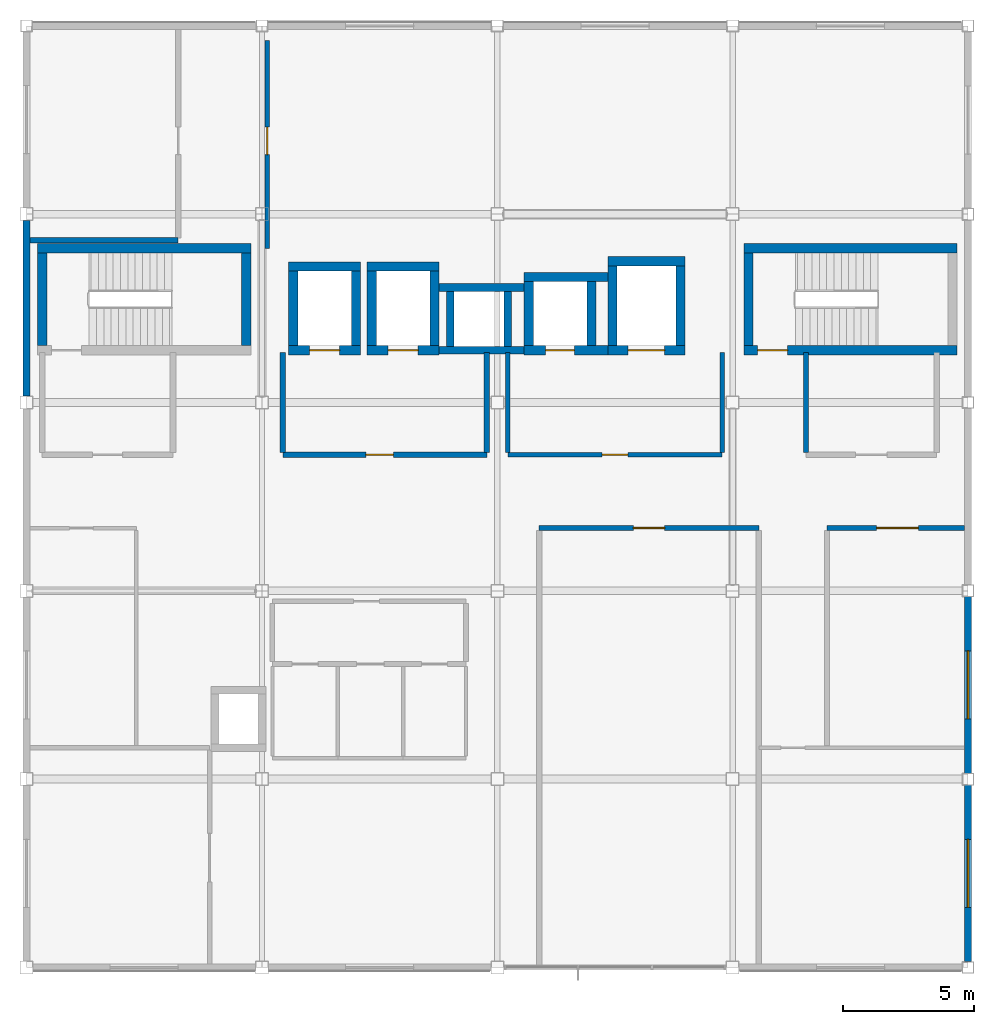
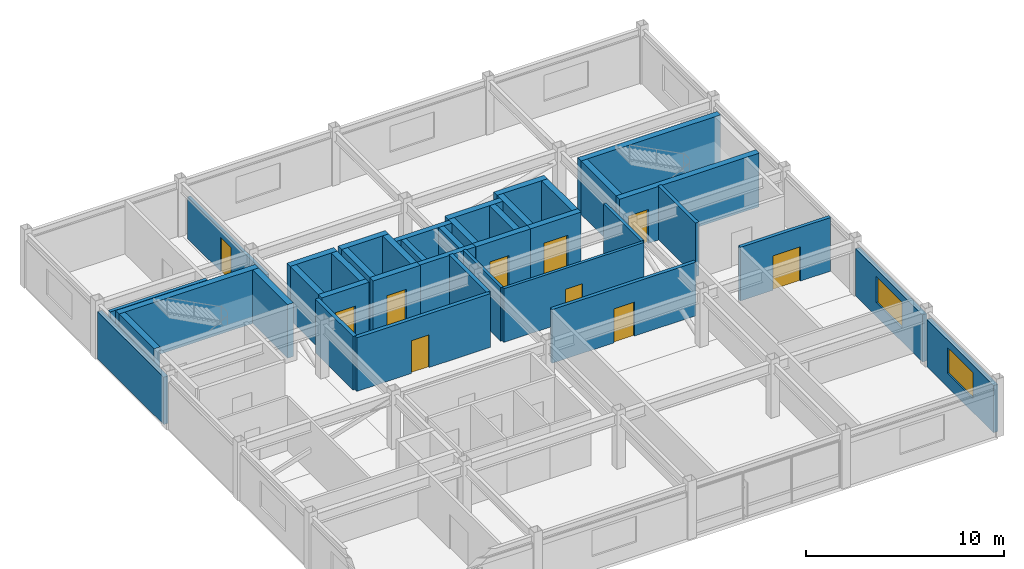
# One storey, part 5 of 7: 40 walls, 10 doors, 2 windows, 12 openings.
"""IFC4 building model written with IfcOpenShell, lengths in metres."""

from ifc_helpers import new_model, si_unit, direction, frame, frame_2d, origin, place, context, subcontext, project, spatial, rectangle, extrude, material, layer, layer_set, type_object, element, fill, save


model = new_model("IFC4")

# Units and contexts
model_context = context("Model", 3, precision=1e-05, world=origin(), true_north=direction((0.0, 1.0)))
body_context = subcontext(model_context, "Body", "Model", "MODEL_VIEW")
ifc_project = project(units=[si_unit("LENGTHUNIT", "METRE"), si_unit("AREAUNIT", "SQUARE_METRE"), si_unit("VOLUMEUNIT", "CUBIC_METRE"), si_unit("PLANEANGLEUNIT", "RADIAN"), si_unit("MASSUNIT", "GRAM", prefix="KILO")], contexts=[model_context])

# Site, building, storey
site_placement = place(None, origin())
site = spatial("IfcSite", under=ifc_project, at=site_placement, CompositionType="ELEMENT")
building_placement = place(site_placement, origin())
building = spatial("IfcBuilding", under=site, at=building_placement, Name="Kazanami Central Library", CompositionType="ELEMENT")
storey_placement = place(building_placement, frame((0.0, 0.0, 27.800048828125)))
storey = spatial("IfcBuildingStorey", under=building, at=storey_placement, Name="L08", CompositionType="ELEMENT", Elevation=27.800048828125)

# Wall
ifc_material_1 = material(Name="Concrete Fc36 (36 MPa)", Category="concrete")
ifc_layer_1 = layer(ifc_material_1, 0.179931640625, Name="Concrete Fc36 (36 MPa)")
ifc_material_2 = material(Name="Extruded Polystyrene XPS", Category="earth")
ifc_layer_2 = layer(ifc_material_2, 0.050048828125, Name="Extruded Polystyrene XPS")
ifc_material_3 = material(Name="Honed Inada Granite", Category="masonry")
ifc_layer_3 = layer(ifc_material_3, 0.030029296875, Name="Honed Inada Granite")
ifc_layer_set_1 = layer_set([ifc_layer_1, ifc_layer_2, ifc_layer_3], Name="Concrete Fc36 (36 MPa)")
wall_type_1 = type_object("IfcWallType", Name="WAL-EW-260", PredefinedType="STANDARD", material=ifc_layer_set_1)
wall_1_placement = place(storey_placement, frame((126.0, 79.449951171875, 0.0), z_axis=(0.0, 0.0, 1.0), x_axis=(0.0, 1.0, 0.0)))
element("IfcWall", 1, at=wall_1_placement, inside=storey, type_object=wall_type_1, Name="Exterior Facade Wall EW-260 L08 W-15-11", PredefinedType="STANDARD", context=body_context, shape_type="SweptSolid", body=[
    extrude(rectangle(XDim=6.699951171875, YDim=0.260009765625, at=frame_2d((3.35009765625, 0.0))), origin(), (0.0, 0.0, 1.0), 2.9150390625),
])

# Wall, opening, window
wall_2_placement = place(storey_placement, frame((162.0, 64.574951171875, 0.0), z_axis=(0.0, 0.0, 1.0), x_axis=(0.0, -1.0, 0.0)))
wall_2 = element("IfcWall", 2, at=wall_2_placement, inside=storey, type_object=wall_type_1, Name="Exterior Facade Wall EW-260 L08 E-19-08", PredefinedType="STANDARD", context=body_context, shape_type="SweptSolid", body=[
    extrude(rectangle(XDim=6.75, YDim=0.260009765625, at=frame_2d((3.375, 0.0))), origin(), (0.0, 0.0, 1.0), 2.9150390625),
])
opening_1_placement = place(wall_2_placement, frame((2.074951171875, 0.0, 0.85009765625)))
opening_1 = element("IfcOpeningElement", 3, at=opening_1_placement, cuts=wall_2, Name="Opening WN-13", PredefinedType="OPENING", context=body_context, shape_type="SweptSolid", body=[
    extrude(rectangle(XDim=2.60009765625, YDim=1.60009765625, at=frame_2d((1.300048828125, 0.800048828125))), frame((0.0, 0.14208984375, 0.0), z_axis=(0.0, -1.0, 0.0), x_axis=(1.0, 0.0, 0.0)), (0.0, 0.0, 1.0), 0.283935546875),
])
ifc_material_4 = material(Name="Low-E Insulated Triple Glass", Category="glass")
window_type = type_object("IfcWindowType", Name="WIN-WN-13", PartitioningType="DOUBLE_PANEL_VERTICAL", PredefinedType="WINDOW", material=ifc_material_4)
window_1_placement = place(opening_1_placement, origin())
window_1 = element("IfcWindow", 4, at=window_1_placement, inside=storey, type_object=window_type, Name="Facade Window WN-13 L08 E-19-08", OverallHeight=1.60009765625, OverallWidth=2.60009765625, PartitioningType="DOUBLE_PANEL_VERTICAL", PredefinedType="WINDOW", context=body_context, shape_type="SweptSolid", body=[
    extrude(rectangle(XDim=2.60009765625, YDim=1.60009765625, at=frame_2d((1.300048828125, 0.800048828125))), frame((0.0, 0.030029296875, 0.0), z_axis=(0.0, -1.0, 0.0), x_axis=(1.0, 0.0, 0.0)), (0.0, 0.0, 1.0), 0.06005859375),
])
fill(opening_1, window_1)

wall_3_placement = place(storey_placement, frame((162.0, 71.77490234375, 0.0), z_axis=(0.0, 0.0, 1.0), x_axis=(0.0, -1.0, 0.0)))
wall_3 = element("IfcWall", 5, at=wall_3_placement, inside=storey, type_object=wall_type_1, Name="Exterior Facade Wall EW-260 L08 E-19-09", PredefinedType="STANDARD", context=body_context, shape_type="SweptSolid", body=[
    extrude(rectangle(XDim=6.75, YDim=0.260009765625, at=frame_2d((3.375, 0.0))), origin(), (0.0, 0.0, 1.0), 2.9150390625),
])
opening_2_placement = place(wall_3_placement, frame((2.074951171875, 0.0, 0.85009765625)))
opening_2 = element("IfcOpeningElement", 6, at=opening_2_placement, cuts=wall_3, Name="Opening WN-13", PredefinedType="OPENING", context=body_context, shape_type="SweptSolid", body=[
    extrude(rectangle(XDim=2.60009765625, YDim=1.60009765625, at=frame_2d((1.300048828125, 0.800048828125))), frame((0.0, 0.14208984375, 0.0), z_axis=(0.0, -1.0, 0.0), x_axis=(1.0, 0.0, 0.0)), (0.0, 0.0, 1.0), 0.283935546875),
])
window_2_placement = place(opening_2_placement, origin())
window_2 = element("IfcWindow", 7, at=window_2_placement, inside=storey, type_object=window_type, Name="Facade Window WN-13 L08 E-19-09", OverallHeight=1.60009765625, OverallWidth=2.60009765625, PartitioningType="DOUBLE_PANEL_VERTICAL", PredefinedType="WINDOW", context=body_context, shape_type="SweptSolid", body=[
    extrude(rectangle(XDim=2.60009765625, YDim=1.60009765625, at=frame_2d((1.300048828125, 0.800048828125))), frame((0.0, 0.030029296875, 0.0), z_axis=(0.0, -1.0, 0.0), x_axis=(1.0, 0.0, 0.0)), (0.0, 0.0, 1.0), 0.06005859375),
])
fill(opening_2, window_2)

# Wall, opening, door
ifc_material_5 = material(Name="Fire-Resistant Gypsum Board GB-F", Category="gypsum")
ifc_layer_4 = layer(ifc_material_5, 0.1650390625, Name="Fire-Resistant Gypsum Board GB-F")
ifc_layer_set_2 = layer_set([ifc_layer_4], Name="Fire-Resistant Gypsum Board GB-F")
wall_type_2 = type_object("IfcWallType", Name="WAL-FW-165", PredefinedType="PARTITIONING", material=ifc_layer_set_2)
wall_4_placement = place(storey_placement, frame((144.39990234375, 77.199951171875, 0.0), z_axis=(0.0, 0.0, 1.0), x_axis=(1.0, 0.0, 0.0)))
wall_4 = element("IfcWall", 8, at=wall_4_placement, inside=storey, type_object=wall_type_2, Name="Interior Partition FW-165 L08 LOBBY-V2 (South)", PredefinedType="PARTITIONING", context=body_context, shape_type="SweptSolid", body=[
    extrude(rectangle(XDim=8.2001953125, YDim=0.1650390625, at=frame_2d((4.10009765625, 0.0))), origin(), (0.0, 0.0, 1.0), 3.31494140625),
])
opening_3_placement = place(wall_4_placement, frame((3.610107421875, 0.0, 0.0)))
opening_3 = element("IfcOpeningElement", 9, at=opening_3_placement, cuts=wall_4, Name="Opening FD30-3", PredefinedType="OPENING", context=body_context, shape_type="SweptSolid", body=[
    extrude(rectangle(XDim=0.97998046875, YDim=2.02001953125, at=frame_2d((0.489990234375, 1.010009765625))), frame((0.0, 0.094482421875, 0.0), z_axis=(0.0, -1.0, 0.0), x_axis=(1.0, 0.0, 0.0)), (0.0, 0.0, 1.0), 0.18896484375),
])
ifc_material_6 = material(Name="Cold-Rolled Steel SPCC", Category="steel")
door_type_1 = type_object("IfcDoorType", Name="DOR-FD30-3", OperationType="NOTDEFINED", PredefinedType="DOOR", material=ifc_material_6)
door_1_placement = place(opening_3_placement, frame((0.97998046875, 0.0, 0.0), z_axis=(0.0, 0.0, 1.0), x_axis=(-1.0, 0.0, 0.0)))
door_1 = element("IfcDoor", 10, at=door_1_placement, inside=storey, type_object=door_type_1, Name="Interior Door FD30-3 L08 LOBBY-V2", OperationType="SINGLE_SWING_RIGHT", OverallHeight=2.02001953125, OverallWidth=0.97998046875, PredefinedType="DOOR", context=body_context, shape_type="SweptSolid", body=[
    extrude(rectangle(XDim=0.97998046875, YDim=2.02001953125, at=frame_2d((0.489990234375, 1.010009765625))), frame((0.0, 0.02490234375, 0.0), z_axis=(0.0, -1.0, 0.0), x_axis=(1.0, 0.0, 0.0)), (0.0, 0.0, 1.0), 0.050048828125),
])
fill(opening_3, door_1)

# Walls
for number, where, z_axis, x_axis, name in (
    (11, (144.39990234375, 77.2900390625, 0.0), (0.0, 0.0, 1.0), (0.0, 1.0, 0.0), "Interior Partition FW-165 L08 LOBBY-V2 (West)"),
    (12, (152.60009765625, 77.2900390625, 0.0), (0.0, 0.0, 1.0), (0.0, 1.0, 0.0), "Interior Partition FW-165 L08 LOBBY-V2 (East)"),
):
    element("IfcWall", number, at=place(storey_placement, frame(where, z_axis=z_axis, x_axis=x_axis)), inside=storey, type_object=wall_type_2, Name=name, PredefinedType="PARTITIONING", context=body_context, shape_type="SweptSolid", body=[
        extrude(rectangle(XDim=3.820068359375, YDim=0.1650390625, at=frame_2d((1.91015625, 0.0))), origin(), (0.0, 0.0, 1.0), 3.31494140625),
    ])

# Wall, opening, door
wall_5_placement = place(storey_placement, frame((135.199951171875, 85.090087890625, 0.0), z_axis=(0.0, 0.0, 1.0), x_axis=(0.0, 1.0, 0.0)))
wall_5 = element("IfcWall", 13, at=wall_5_placement, inside=storey, type_object=wall_type_2, Name="Interior Partition FW-165 L08 RM-14 (West)", PredefinedType="PARTITIONING", context=body_context, shape_type="SweptSolid", body=[
    extrude(rectangle(XDim=7.954833984375, YDim=0.1650390625, at=frame_2d((3.9775390625, 0.0))), origin(), (0.0, 0.0, 1.0), 2.594970703125),
])
opening_4_placement = place(wall_5_placement, frame((3.5849609375, 0.0, 0.0)))
opening_4 = element("IfcOpeningElement", 14, at=opening_4_placement, cuts=wall_5, Name="Opening FD30-1", PredefinedType="OPENING", context=body_context, shape_type="SweptSolid", body=[
    extrude(rectangle(XDim=1.050048828125, YDim=2.10009765625, at=frame_2d((0.52490234375, 1.050048828125))), frame((0.0, 0.094482421875, 0.0), z_axis=(0.0, -1.0, 0.0), x_axis=(1.0, 0.0, 0.0)), (0.0, 0.0, 1.0), 0.18896484375),
])
door_type_2 = type_object("IfcDoorType", Name="DOR-FD30-1", OperationType="NOTDEFINED", PredefinedType="DOOR", material=ifc_material_6)
door_2_placement = place(opening_4_placement, origin())
door_2 = element("IfcDoor", 15, at=door_2_placement, inside=storey, type_object=door_type_2, Name="Interior Door FD30-1 L08 RM-14", OperationType="SINGLE_SWING_LEFT", OverallHeight=2.10009765625, OverallWidth=1.050048828125, PredefinedType="DOOR", context=body_context, shape_type="SweptSolid", body=[
    extrude(rectangle(XDim=1.050048828125, YDim=2.10009765625, at=frame_2d((0.52490234375, 1.050048828125))), frame((0.0, 0.02490234375, 0.0), z_axis=(0.0, -1.0, 0.0), x_axis=(1.0, 0.0, 0.0)), (0.0, 0.0, 1.0), 0.050048828125),
])
fill(opening_4, door_2)

# Wall
ifc_layer_5 = layer(ifc_material_5, 0.199951171875, Name="Fire-Resistant Gypsum Board GB-F")
ifc_layer_set_3 = layer_set([ifc_layer_5], Name="Fire-Resistant Gypsum Board GB-F")
wall_type_3 = type_object("IfcWallType", Name="WAL-FW-200", PredefinedType="PARTITIONING", material=ifc_layer_set_3)
wall_6_placement = place(storey_placement, frame((155.800048828125, 77.2900390625, 0.0), z_axis=(0.0, 0.0, 1.0), x_axis=(0.0, 1.0, 0.0)))
element("IfcWall", 16, at=wall_6_placement, inside=storey, type_object=wall_type_3, Name="Interior Partition FW-200 L08 VEST-ST-02 (West)", PredefinedType="PARTITIONING", context=body_context, shape_type="SweptSolid", body=[
    extrude(rectangle(XDim=3.820068359375, YDim=0.199951171875, at=frame_2d((1.91015625, 0.0))), origin(), (0.0, 0.0, 1.0), 3.31494140625),
])

# Wall, opening, door
wall_7_placement = place(storey_placement, frame((145.60009765625, 74.39990234375, 0.0), z_axis=(0.0, 0.0, 1.0), x_axis=(1.0, 0.0, 0.0)))
wall_7 = element("IfcWall", 17, at=wall_7_placement, inside=storey, type_object=wall_type_3, Name="Interior Partition FW-200 L08 RM-09 (North)", PredefinedType="PARTITIONING", context=body_context, shape_type="SweptSolid", body=[
    extrude(rectangle(XDim=8.39990234375, YDim=0.199951171875, at=frame_2d((4.199951171875, 0.0))), origin(), (0.0, 0.0, 1.0), 3.31494140625),
])
opening_5_placement = place(wall_7_placement, frame((3.60009765625, 0.0, 0.0)))
opening_5 = element("IfcOpeningElement", 18, at=opening_5_placement, cuts=wall_7, Name="Opening FD60-1", PredefinedType="OPENING", context=body_context, shape_type="SweptSolid", body=[
    extrude(rectangle(XDim=1.199951171875, YDim=2.10009765625, at=frame_2d((0.60009765625, 1.050048828125))), frame((0.0, 0.11181640625, 0.0), z_axis=(0.0, -1.0, 0.0), x_axis=(1.0, 0.0, 0.0)), (0.0, 0.0, 1.0), 0.223876953125),
])
door_type_3 = type_object("IfcDoorType", Name="DOR-FD60-1", OperationType="NOTDEFINED", PredefinedType="DOOR", material=ifc_material_6)
door_3_placement = place(opening_5_placement, origin())
door_3 = element("IfcDoor", 19, at=door_3_placement, inside=storey, type_object=door_type_3, Name="Interior Door FD60-1 L08 RM-09", OperationType="SINGLE_SWING_RIGHT", OverallHeight=2.10009765625, OverallWidth=1.199951171875, PredefinedType="DOOR", context=body_context, shape_type="SweptSolid", body=[
    extrude(rectangle(XDim=1.199951171875, YDim=2.10009765625, at=frame_2d((0.60009765625, 1.050048828125))), frame((0.0, 0.02490234375, 0.0), z_axis=(0.0, -1.0, 0.0), x_axis=(1.0, 0.0, 0.0)), (0.0, 0.0, 1.0), 0.050048828125),
])
fill(opening_5, door_3)

wall_8_placement = place(storey_placement, frame((156.60009765625, 74.39990234375, 0.0), z_axis=(0.0, 0.0, 1.0), x_axis=(1.0, 0.0, 0.0)))
wall_8 = element("IfcWall", 20, at=wall_8_placement, inside=storey, type_object=wall_type_3, Name="Interior Partition FW-200 L08 RM-12 (North)", PredefinedType="PARTITIONING", context=body_context, shape_type="SweptSolid", body=[
    extrude(rectangle(XDim=5.264892578125, YDim=0.199951171875, at=frame_2d((2.63232421875, 0.0))), origin(), (0.0, 0.0, 1.0), 3.31494140625),
])
opening_6_placement = place(wall_8_placement, frame((1.89990234375, 0.0, 0.0)))
opening_6 = element("IfcOpeningElement", 21, at=opening_6_placement, cuts=wall_8, Name="Opening FD60-4", PredefinedType="OPENING", context=body_context, shape_type="SweptSolid", body=[
    extrude(rectangle(XDim=1.60009765625, YDim=2.1201171875, at=frame_2d((0.800048828125, 1.06005859375))), frame((0.0, 0.11181640625, 0.0), z_axis=(0.0, -1.0, 0.0), x_axis=(1.0, 0.0, 0.0)), (0.0, 0.0, 1.0), 0.223876953125),
])
door_type_4 = type_object("IfcDoorType", Name="DOR-FD60-4", OperationType="DOUBLE_DOOR_SINGLE_SWING", PredefinedType="DOOR", material=ifc_material_6)
door_4_placement = place(opening_6_placement, origin())
door_4 = element("IfcDoor", 22, at=door_4_placement, inside=storey, type_object=door_type_4, Name="Interior Door FD60-4 L08 RM-12", OperationType="DOUBLE_DOOR_SINGLE_SWING", OverallHeight=2.1201171875, OverallWidth=1.60009765625, PredefinedType="DOOR", context=body_context, shape_type="SweptSolid", body=[
    extrude(rectangle(XDim=1.60009765625, YDim=2.1201171875, at=frame_2d((0.800048828125, 1.06005859375))), frame((0.0, 0.02490234375, 0.0), z_axis=(0.0, -1.0, 0.0), x_axis=(1.0, 0.0, 0.0)), (0.0, 0.0, 1.0), 0.050048828125),
])
fill(opening_6, door_4)

# Wall
wall_9_placement = place(storey_placement, frame((126.135009765625, 85.39990234375, 0.0), z_axis=(0.0, 0.0, 1.0), x_axis=(1.0, 0.0, 0.0)))
element("IfcWall", 23, at=wall_9_placement, inside=storey, type_object=wall_type_3, Name="Interior Partition FW-200 L08 RM-13 (South)", PredefinedType="PARTITIONING", context=body_context, shape_type="SweptSolid", body=[
    extrude(rectangle(XDim=5.6650390625, YDim=0.199951171875, at=frame_2d((2.83251953125, 0.0))), origin(), (0.0, 0.0, 1.0), 3.31494140625),
])

# Wall, opening, door
ifc_layer_6 = layer(ifc_material_5, 0.219970703125, Name="Fire-Resistant Gypsum Board GB-F")
ifc_layer_set_4 = layer_set([ifc_layer_6], Name="Fire-Resistant Gypsum Board GB-F")
wall_type_4 = type_object("IfcWallType", Name="WAL-FW-220", PredefinedType="PARTITIONING", material=ifc_layer_set_4)
wall_10_placement = place(storey_placement, frame((135.800048828125, 77.199951171875, 0.0), z_axis=(0.0, 0.0, 1.0), x_axis=(1.0, 0.0, 0.0)))
wall_10 = element("IfcWall", 24, at=wall_10_placement, inside=storey, type_object=wall_type_4, Name="Interior Partition FW-220 L08 LOBBY-FF (South)", PredefinedType="PARTITIONING", context=body_context, shape_type="SweptSolid", body=[
    extrude(rectangle(XDim=7.800048828125, YDim=0.219970703125, at=frame_2d((3.89990234375, 0.0))), origin(), (0.0, 0.0, 1.0), 3.31494140625),
])
opening_7_placement = place(wall_10_placement, frame((3.175048828125, 0.0, 0.0)))
opening_7 = element("IfcOpeningElement", 25, at=opening_7_placement, cuts=wall_10, Name="Opening FD60-8", PredefinedType="OPENING", context=body_context, shape_type="SweptSolid", body=[
    extrude(rectangle(XDim=1.050048828125, YDim=2.02001953125, at=frame_2d((0.52490234375, 1.010009765625))), frame((0.0, 0.1220703125, 0.0), z_axis=(0.0, -1.0, 0.0), x_axis=(1.0, 0.0, 0.0)), (0.0, 0.0, 1.0), 0.243896484375),
])
door_type_5 = type_object("IfcDoorType", Name="DOR-FD60-8", OperationType="NOTDEFINED", PredefinedType="DOOR", material=ifc_material_6)
door_5_placement = place(opening_7_placement, frame((1.050048828125, 0.0, 0.0), z_axis=(0.0, 0.0, 1.0), x_axis=(-1.0, 0.0, 0.0)))
door_5 = element("IfcDoor", 26, at=door_5_placement, inside=storey, type_object=door_type_5, Name="Interior Door FD60-8 L08 LOBBY-FF", OperationType="SINGLE_SWING_LEFT", OverallHeight=2.02001953125, OverallWidth=1.050048828125, PredefinedType="DOOR", context=body_context, shape_type="SweptSolid", body=[
    extrude(rectangle(XDim=1.050048828125, YDim=2.02001953125, at=frame_2d((0.52490234375, 1.010009765625))), frame((0.0, 0.02490234375, 0.0), z_axis=(0.0, -1.0, 0.0), x_axis=(1.0, 0.0, 0.0)), (0.0, 0.0, 1.0), 0.050048828125),
])
fill(opening_7, door_5)

# Walls
for number, where, z_axis, x_axis, name in (
    (27, (135.800048828125, 77.2900390625, 0.0), (0.0, 0.0, 1.0), (0.0, 1.0, 0.0), "Interior Partition FW-220 L08 LOBBY-FF (West)"),
    (28, (143.60009765625, 77.2900390625, 0.0), (0.0, 0.0, 1.0), (0.0, 1.0, 0.0), "Interior Partition FW-220 L08 LOBBY-FF (East)"),
):
    element("IfcWall", number, at=place(storey_placement, frame(where, z_axis=z_axis, x_axis=x_axis)), inside=storey, type_object=wall_type_4, Name=name, PredefinedType="PARTITIONING", context=body_context, shape_type="SweptSolid", body=[
        extrude(rectangle(XDim=3.820068359375, YDim=0.219970703125, at=frame_2d((1.91015625, 0.0))), origin(), (0.0, 0.0, 1.0), 3.31494140625),
    ])
ifc_layer_7 = layer(ifc_material_1, 0.300048828125, Name="Concrete Fc36 (36 MPa)")
ifc_layer_set_5 = layer_set([ifc_layer_7], Name="Concrete Fc36 (36 MPa)")
wall_type_5 = type_object("IfcWallType", Name="WAL-SW-300", PredefinedType="SHEAR", material=ifc_layer_set_5)
for number, where, z_axis, x_axis, name in (
    (29, (141.77490234375, 81.199951171875, 0.0), (0.0, 0.0, 1.0), (1.0, 0.0, 0.0), "Service Riser Wall RSR-V2-A S L08"),
    (30, (141.77490234375, 83.60009765625, 0.0), (0.0, 0.0, 1.0), (1.0, 0.0, 0.0), "Service Riser Wall RSR-V2-A N L08"),
):
    element("IfcWall", number, at=place(storey_placement, frame(where, z_axis=z_axis, x_axis=x_axis)), inside=storey, type_object=wall_type_5, Name=name, PredefinedType="SHEAR", context=body_context, shape_type="SweptSolid", body=[
        extrude(rectangle(XDim=3.25, YDim=0.300048828125, at=frame_2d((1.625, 0.0))), origin(), (0.0, 0.0, 1.0), 3.31494140625),
    ])
for number, where, z_axis, x_axis, name in (
    (31, (142.199951171875, 81.35009765625, 0.0), (0.0, 0.0, 1.0), (0.0, 1.0, 0.0), "Service Riser Wall RSR-V2-A W L08"),
    (32, (144.39990234375, 81.35009765625, 0.0), (0.0, 0.0, 1.0), (0.0, 1.0, 0.0), "Service Riser Wall RSR-V2-A E L08"),
):
    element("IfcWall", number, at=place(storey_placement, frame(where, z_axis=z_axis, x_axis=x_axis)), inside=storey, type_object=wall_type_5, Name=name, PredefinedType="SHEAR", context=body_context, shape_type="SweptSolid", body=[
        extrude(rectangle(XDim=2.099853515625, YDim=0.300048828125, at=frame_2d((1.0498046875, 0.0))), origin(), (0.0, 0.0, 1.0), 3.31494140625),
    ])
ifc_layer_8 = layer(ifc_material_1, 0.35009765625, Name="Concrete Fc36 (36 MPa)")
ifc_layer_set_6 = layer_set([ifc_layer_8], Name="Concrete Fc36 (36 MPa)")
wall_type_6 = type_object("IfcWallType", Name="WAL-SW-350", PredefinedType="SHEAR", material=ifc_layer_set_6)
wall_11_placement = place(storey_placement, frame((126.425048828125, 85.10009765625, 0.0), z_axis=(0.0, 0.0, 1.0), x_axis=(1.0, 0.0, 0.0)))
element("IfcWall", 33, at=wall_11_placement, inside=storey, type_object=wall_type_6, Name="Stair Core Wall ST-01 North L08", PredefinedType="SHEAR", context=body_context, shape_type="SweptSolid", body=[
    extrude(rectangle(XDim=8.14990234375, YDim=0.35009765625, at=frame_2d((4.074951171875, 0.0))), origin(), (0.0, 0.0, 1.0), 3.31494140625),
])
for number, where, z_axis, x_axis, name in (
    (34, (126.60009765625, 81.375, 0.0), (0.0, 0.0, 1.0), (0.0, 1.0, 0.0), "Stair Core Wall ST-01 West L08"),
    (35, (134.39990234375, 81.375, 0.0), (0.0, 0.0, 1.0), (0.0, 1.0, 0.0), "Stair Core Wall ST-01 East L08"),
):
    element("IfcWall", number, at=place(storey_placement, frame(where, z_axis=z_axis, x_axis=x_axis)), inside=storey, type_object=wall_type_6, Name=name, PredefinedType="SHEAR", context=body_context, shape_type="SweptSolid", body=[
        extrude(rectangle(XDim=3.550048828125, YDim=0.35009765625, at=frame_2d((1.77490234375, 0.0))), origin(), (0.0, 0.0, 1.0), 3.31494140625),
    ])

# Wall, opening, door
wall_12_placement = place(storey_placement, frame((153.425048828125, 81.199951171875, 0.0), z_axis=(0.0, 0.0, 1.0), x_axis=(1.0, 0.0, 0.0)))
wall_12 = element("IfcWall", 36, at=wall_12_placement, inside=storey, type_object=wall_type_6, Name="Stair Core Wall ST-02 South L08", PredefinedType="SHEAR", context=body_context, shape_type="SweptSolid", body=[
    extrude(rectangle(XDim=8.14990234375, YDim=0.35009765625, at=frame_2d((4.074951171875, 0.0))), origin(), (0.0, 0.0, 1.0), 3.31494140625),
])
opening_8_placement = place(wall_12_placement, frame((0.52490234375, 0.0, 0.0)))
opening_8 = element("IfcOpeningElement", 37, at=opening_8_placement, cuts=wall_12, Name="Opening FD60-2", PredefinedType="OPENING", context=body_context, shape_type="SweptSolid", body=[
    extrude(rectangle(XDim=1.14990234375, YDim=2.10009765625, at=frame_2d((0.574951171875, 1.050048828125))), frame((0.0, 0.18701171875, 0.0), z_axis=(0.0, -1.0, 0.0), x_axis=(1.0, 0.0, 0.0)), (0.0, 0.0, 1.0), 0.3740234375),
])
door_type_6 = type_object("IfcDoorType", Name="DOR-FD60-2", OperationType="NOTDEFINED", PredefinedType="DOOR", material=ifc_material_6)
door_6_placement = place(opening_8_placement, origin())
door_6 = element("IfcDoor", 38, at=door_6_placement, inside=storey, type_object=door_type_6, Name="Escape Stair ST-02 Fire Door L08", OperationType="SINGLE_SWING_LEFT", OverallHeight=2.10009765625, OverallWidth=1.14990234375, PredefinedType="DOOR", context=body_context, shape_type="SweptSolid", body=[
    extrude(rectangle(XDim=1.14990234375, YDim=2.10009765625, at=frame_2d((0.574951171875, 1.050048828125))), frame((0.0, 0.02490234375, 0.0), z_axis=(0.0, -1.0, 0.0), x_axis=(1.0, 0.0, 0.0)), (0.0, 0.0, 1.0), 0.050048828125),
])
fill(opening_8, door_6)

# Walls
wall_13_placement = place(storey_placement, frame((153.425048828125, 85.10009765625, 0.0), z_axis=(0.0, 0.0, 1.0), x_axis=(1.0, 0.0, 0.0)))
element("IfcWall", 39, at=wall_13_placement, inside=storey, type_object=wall_type_6, Name="Stair Core Wall ST-02 North L08", PredefinedType="SHEAR", context=body_context, shape_type="SweptSolid", body=[
    extrude(rectangle(XDim=8.14990234375, YDim=0.35009765625, at=frame_2d((4.074951171875, 0.0))), origin(), (0.0, 0.0, 1.0), 3.31494140625),
])
wall_14_placement = place(storey_placement, frame((153.60009765625, 81.375, 0.0), z_axis=(0.0, 0.0, 1.0), x_axis=(0.0, 1.0, 0.0)))
element("IfcWall", 40, at=wall_14_placement, inside=storey, type_object=wall_type_6, Name="Stair Core Wall ST-02 West L08", PredefinedType="SHEAR", context=body_context, shape_type="SweptSolid", body=[
    extrude(rectangle(XDim=3.550048828125, YDim=0.35009765625, at=frame_2d((1.77490234375, 0.0))), origin(), (0.0, 0.0, 1.0), 3.31494140625),
])

# Wall, opening, door
wall_15_placement = place(storey_placement, frame((136.02490234375, 81.199951171875, 0.0), z_axis=(0.0, 0.0, 1.0), x_axis=(1.0, 0.0, 0.0)))
wall_15 = element("IfcWall", 41, at=wall_15_placement, inside=storey, type_object=wall_type_6, Name="Lift Shaft Wall EL-F1 South L08", PredefinedType="SHEAR", context=body_context, shape_type="SweptSolid", body=[
    extrude(rectangle(XDim=2.75, YDim=0.35009765625, at=frame_2d((1.375, 0.0))), origin(), (0.0, 0.0, 1.0), 3.31494140625),
])
opening_9_placement = place(wall_15_placement, frame((0.800048828125, 0.0, 0.0)))
opening_9 = element("IfcOpeningElement", 42, at=opening_9_placement, cuts=wall_15, Name="Opening LD-02", PredefinedType="OPENING", context=body_context, shape_type="SweptSolid", body=[
    extrude(rectangle(XDim=1.14990234375, YDim=2.1201171875, at=frame_2d((0.574951171875, 1.06005859375))), frame((0.0, 0.18701171875, 0.0), z_axis=(0.0, -1.0, 0.0), x_axis=(1.0, 0.0, 0.0)), (0.0, 0.0, 1.0), 0.3740234375),
])
ifc_material_7 = material(Name="Stainless Steel SUS304", Category="steel")
door_type_7 = type_object("IfcDoorType", Name="DOR-LD-02", OperationType="SLIDING_TO_LEFT", PredefinedType="DOOR", material=ifc_material_7)
door_7_placement = place(opening_9_placement, origin())
door_7 = element("IfcDoor", 43, at=door_7_placement, inside=storey, type_object=door_type_7, Name="Lift Landing Sliding Door EL-F1 (L08)", OperationType="SLIDING_TO_LEFT", OverallHeight=2.1201171875, OverallWidth=1.14990234375, PredefinedType="DOOR", context=body_context, shape_type="SweptSolid", body=[
    extrude(rectangle(XDim=1.14990234375, YDim=2.1201171875, at=frame_2d((0.574951171875, 1.06005859375))), frame((0.0, 0.02490234375, 0.0), z_axis=(0.0, -1.0, 0.0), x_axis=(1.0, 0.0, 0.0)), (0.0, 0.0, 1.0), 0.050048828125),
])
fill(opening_9, door_7)

# Walls
wall_16_placement = place(storey_placement, frame((136.02490234375, 84.39990234375, 0.0), z_axis=(0.0, 0.0, 1.0), x_axis=(1.0, 0.0, 0.0)))
element("IfcWall", 44, at=wall_16_placement, inside=storey, type_object=wall_type_6, Name="Lift Shaft Wall EL-F1 North L08", PredefinedType="SHEAR", context=body_context, shape_type="SweptSolid", body=[
    extrude(rectangle(XDim=2.75, YDim=0.35009765625, at=frame_2d((1.375, 0.0))), origin(), (0.0, 0.0, 1.0), 3.31494140625),
])
for number, where, z_axis, x_axis, name in (
    (45, (136.199951171875, 81.375, 0.0), (0.0, 0.0, 1.0), (0.0, 1.0, 0.0), "Lift Shaft Wall EL-F1 West L08"),
    (46, (138.60009765625, 81.375, 0.0), (0.0, 0.0, 1.0), (0.0, 1.0, 0.0), "Lift Shaft Wall EL-F1 East L08"),
):
    element("IfcWall", number, at=place(storey_placement, frame(where, z_axis=z_axis, x_axis=x_axis)), inside=storey, type_object=wall_type_6, Name=name, PredefinedType="SHEAR", context=body_context, shape_type="SweptSolid", body=[
        extrude(rectangle(XDim=2.85009765625, YDim=0.35009765625, at=frame_2d((1.425048828125, 0.0))), origin(), (0.0, 0.0, 1.0), 3.31494140625),
    ])

# Wall, opening, door
wall_17_placement = place(storey_placement, frame((139.02490234375, 81.199951171875, 0.0), z_axis=(0.0, 0.0, 1.0), x_axis=(1.0, 0.0, 0.0)))
wall_17 = element("IfcWall", 47, at=wall_17_placement, inside=storey, type_object=wall_type_6, Name="Lift Shaft Wall EL-F2 South L08", PredefinedType="SHEAR", context=body_context, shape_type="SweptSolid", body=[
    extrude(rectangle(XDim=2.75, YDim=0.35009765625, at=frame_2d((1.375, 0.0))), origin(), (0.0, 0.0, 1.0), 3.31494140625),
])
opening_10_placement = place(wall_17_placement, frame((0.800048828125, 0.0, 0.0)))
opening_10 = element("IfcOpeningElement", 48, at=opening_10_placement, cuts=wall_17, Name="Opening LD-02", PredefinedType="OPENING", context=body_context, shape_type="SweptSolid", body=[
    extrude(rectangle(XDim=1.14990234375, YDim=2.1201171875, at=frame_2d((0.574951171875, 1.06005859375))), frame((0.0, 0.18701171875, 0.0), z_axis=(0.0, -1.0, 0.0), x_axis=(1.0, 0.0, 0.0)), (0.0, 0.0, 1.0), 0.3740234375),
])
door_8_placement = place(opening_10_placement, origin())
door_8 = element("IfcDoor", 49, at=door_8_placement, inside=storey, type_object=door_type_7, Name="Lift Landing Sliding Door EL-F2 (L08)", OperationType="SLIDING_TO_LEFT", OverallHeight=2.1201171875, OverallWidth=1.14990234375, PredefinedType="DOOR", context=body_context, shape_type="SweptSolid", body=[
    extrude(rectangle(XDim=1.14990234375, YDim=2.1201171875, at=frame_2d((0.574951171875, 1.06005859375))), frame((0.0, 0.02490234375, 0.0), z_axis=(0.0, -1.0, 0.0), x_axis=(1.0, 0.0, 0.0)), (0.0, 0.0, 1.0), 0.050048828125),
])
fill(opening_10, door_8)

# Walls
wall_18_placement = place(storey_placement, frame((139.02490234375, 84.39990234375, 0.0), z_axis=(0.0, 0.0, 1.0), x_axis=(1.0, 0.0, 0.0)))
element("IfcWall", 50, at=wall_18_placement, inside=storey, type_object=wall_type_6, Name="Lift Shaft Wall EL-F2 North L08", PredefinedType="SHEAR", context=body_context, shape_type="SweptSolid", body=[
    extrude(rectangle(XDim=2.75, YDim=0.35009765625, at=frame_2d((1.375, 0.0))), origin(), (0.0, 0.0, 1.0), 3.31494140625),
])
for number, where, z_axis, x_axis, name in (
    (51, (139.199951171875, 81.375, 0.0), (0.0, 0.0, 1.0), (0.0, 1.0, 0.0), "Lift Shaft Wall EL-F2 West L08"),
    (52, (141.60009765625, 81.375, 0.0), (0.0, 0.0, 1.0), (0.0, 1.0, 0.0), "Lift Shaft Wall EL-F2 East L08"),
):
    element("IfcWall", number, at=place(storey_placement, frame(where, z_axis=z_axis, x_axis=x_axis)), inside=storey, type_object=wall_type_6, Name=name, PredefinedType="SHEAR", context=body_context, shape_type="SweptSolid", body=[
        extrude(rectangle(XDim=2.85009765625, YDim=0.35009765625, at=frame_2d((1.425048828125, 0.0))), origin(), (0.0, 0.0, 1.0), 3.31494140625),
    ])

# Wall, opening, door
wall_19_placement = place(storey_placement, frame((145.02490234375, 81.199951171875, 0.0), z_axis=(0.0, 0.0, 1.0), x_axis=(1.0, 0.0, 0.0)))
wall_19 = element("IfcWall", 53, at=wall_19_placement, inside=storey, type_object=wall_type_6, Name="Lift Shaft Wall EL-P1 South L08", PredefinedType="SHEAR", context=body_context, shape_type="SweptSolid", body=[
    extrude(rectangle(XDim=3.2001953125, YDim=0.35009765625, at=frame_2d((1.60009765625, 0.0))), origin(), (0.0, 0.0, 1.0), 3.31494140625),
])
opening_11_placement = place(wall_19_placement, frame((0.824951171875, 0.0, 0.0)))
opening_11 = element("IfcOpeningElement", 54, at=opening_11_placement, cuts=wall_19, Name="Opening LD-01", PredefinedType="OPENING", context=body_context, shape_type="SweptSolid", body=[
    extrude(rectangle(XDim=1.10009765625, YDim=2.10009765625, at=frame_2d((0.550048828125, 1.050048828125))), frame((0.0, 0.18701171875, 0.0), z_axis=(0.0, -1.0, 0.0), x_axis=(1.0, 0.0, 0.0)), (0.0, 0.0, 1.0), 0.3740234375),
])
door_type_8 = type_object("IfcDoorType", Name="DOR-LD-01", OperationType="SLIDING_TO_LEFT", PredefinedType="DOOR", material=ifc_material_7)
door_9_placement = place(opening_11_placement, origin())
door_9 = element("IfcDoor", 55, at=door_9_placement, inside=storey, type_object=door_type_8, Name="Lift Landing Sliding Door EL-P1 (L08)", OperationType="SLIDING_TO_LEFT", OverallHeight=2.10009765625, OverallWidth=1.10009765625, PredefinedType="DOOR", context=body_context, shape_type="SweptSolid", body=[
    extrude(rectangle(XDim=1.10009765625, YDim=2.10009765625, at=frame_2d((0.550048828125, 1.050048828125))), frame((0.0, 0.02490234375, 0.0), z_axis=(0.0, -1.0, 0.0), x_axis=(1.0, 0.0, 0.0)), (0.0, 0.0, 1.0), 0.050048828125),
])
fill(opening_11, door_9)

# Walls
wall_20_placement = place(storey_placement, frame((145.02490234375, 84.0, 0.0), z_axis=(0.0, 0.0, 1.0), x_axis=(1.0, 0.0, 0.0)))
element("IfcWall", 56, at=wall_20_placement, inside=storey, type_object=wall_type_6, Name="Lift Shaft Wall EL-P1 North L08", PredefinedType="SHEAR", context=body_context, shape_type="SweptSolid", body=[
    extrude(rectangle(XDim=3.2001953125, YDim=0.35009765625, at=frame_2d((1.60009765625, 0.0))), origin(), (0.0, 0.0, 1.0), 3.31494140625),
])
for number, where, z_axis, x_axis, name in (
    (57, (145.199951171875, 81.375, 0.0), (0.0, 0.0, 1.0), (0.0, 1.0, 0.0), "Lift Shaft Wall EL-P1 West L08"),
    (58, (147.60009765625, 81.375, 0.0), (0.0, 0.0, 1.0), (0.0, 1.0, 0.0), "Lift Shaft Wall EL-P1 East L08"),
):
    element("IfcWall", number, at=place(storey_placement, frame(where, z_axis=z_axis, x_axis=x_axis)), inside=storey, type_object=wall_type_6, Name=name, PredefinedType="SHEAR", context=body_context, shape_type="SweptSolid", body=[
        extrude(rectangle(XDim=2.449951171875, YDim=0.35009765625, at=frame_2d((1.22509765625, 0.0))), origin(), (0.0, 0.0, 1.0), 3.31494140625),
    ])

# Wall, opening, door
wall_21_placement = place(storey_placement, frame((148.22509765625, 81.199951171875, 0.0), z_axis=(0.0, 0.0, 1.0), x_axis=(1.0, 0.0, 0.0)))
wall_21 = element("IfcWall", 59, at=wall_21_placement, inside=storey, type_object=wall_type_6, Name="Lift Shaft Wall EL-S1 South L08", PredefinedType="SHEAR", context=body_context, shape_type="SweptSolid", body=[
    extrude(rectangle(XDim=2.949951171875, YDim=0.35009765625, at=frame_2d((1.47509765625, 0.0))), origin(), (0.0, 0.0, 1.0), 3.31494140625),
])
opening_12_placement = place(wall_21_placement, frame((0.77490234375, 0.0, 0.0)))
opening_12 = element("IfcOpeningElement", 60, at=opening_12_placement, cuts=wall_21, Name="Opening LD-03", PredefinedType="OPENING", context=body_context, shape_type="SweptSolid", body=[
    extrude(rectangle(XDim=1.39990234375, YDim=2.14990234375, at=frame_2d((0.699951171875, 1.074951171875))), frame((0.0, 0.18701171875, 0.0), z_axis=(0.0, -1.0, 0.0), x_axis=(1.0, 0.0, 0.0)), (0.0, 0.0, 1.0), 0.3740234375),
])
door_type_9 = type_object("IfcDoorType", Name="DOR-LD-03", OperationType="SLIDING_TO_LEFT", PredefinedType="DOOR", material=ifc_material_7)
door_10_placement = place(opening_12_placement, origin())
door_10 = element("IfcDoor", 61, at=door_10_placement, inside=storey, type_object=door_type_9, Name="Lift Landing Sliding Door EL-S1 (L08)", OperationType="SLIDING_TO_LEFT", OverallHeight=2.14990234375, OverallWidth=1.39990234375, PredefinedType="DOOR", context=body_context, shape_type="SweptSolid", body=[
    extrude(rectangle(XDim=1.39990234375, YDim=2.14990234375, at=frame_2d((0.699951171875, 1.074951171875))), frame((0.0, 0.02490234375, 0.0), z_axis=(0.0, -1.0, 0.0), x_axis=(1.0, 0.0, 0.0)), (0.0, 0.0, 1.0), 0.050048828125),
])
fill(opening_12, door_10)

# Walls
wall_22_placement = place(storey_placement, frame((148.22509765625, 84.60009765625, 0.0), z_axis=(0.0, 0.0, 1.0), x_axis=(1.0, 0.0, 0.0)))
element("IfcWall", 62, at=wall_22_placement, inside=storey, type_object=wall_type_6, Name="Lift Shaft Wall EL-S1 North L08", PredefinedType="SHEAR", context=body_context, shape_type="SweptSolid", body=[
    extrude(rectangle(XDim=2.949951171875, YDim=0.35009765625, at=frame_2d((1.47509765625, 0.0))), origin(), (0.0, 0.0, 1.0), 3.31494140625),
])
for number, where, z_axis, x_axis, name in (
    (63, (148.39990234375, 81.375, 0.0), (0.0, 0.0, 1.0), (0.0, 1.0, 0.0), "Lift Shaft Wall EL-S1 West L08"),
    (64, (151.0, 81.375, 0.0), (0.0, 0.0, 1.0), (0.0, 1.0, 0.0), "Lift Shaft Wall EL-S1 East L08"),
):
    element("IfcWall", number, at=place(storey_placement, frame(where, z_axis=z_axis, x_axis=x_axis)), inside=storey, type_object=wall_type_6, Name=name, PredefinedType="SHEAR", context=body_context, shape_type="SweptSolid", body=[
        extrude(rectangle(XDim=3.050048828125, YDim=0.35009765625, at=frame_2d((1.52490234375, 0.0))), origin(), (0.0, 0.0, 1.0), 3.31494140625),
    ])

save(model, "model.ifc")
